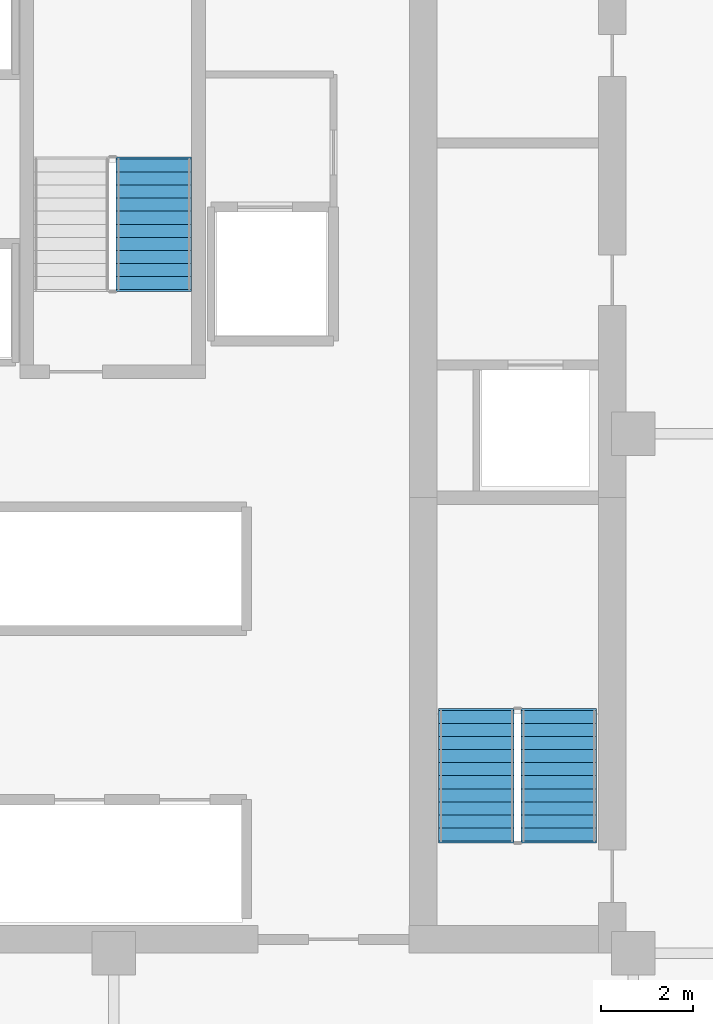
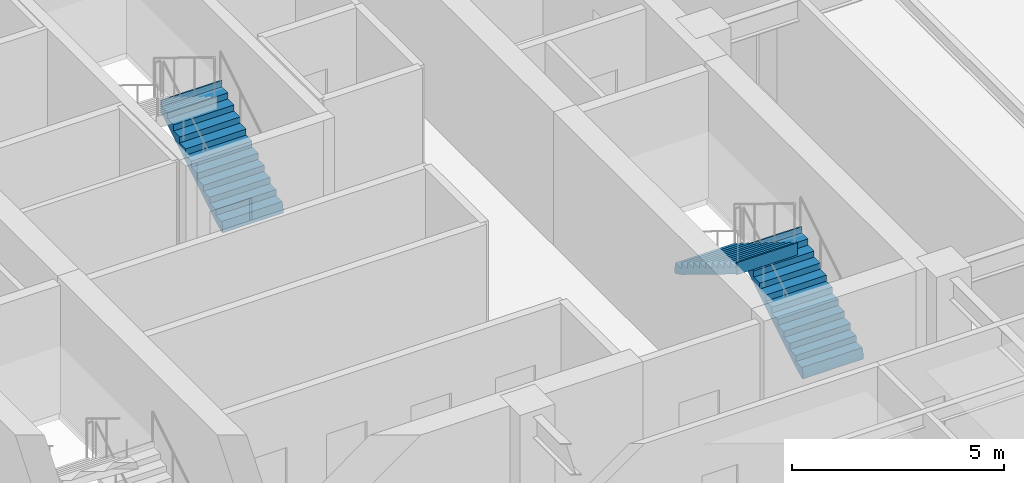
# One storey, part 6 of 9: 3 stair flights, 2 elements without a shape of their own.
"""IFC4 building model written with IfcOpenShell, lengths in metres."""

from ifc_helpers import new_model, si_unit, direction, frame, origin, place, context, subcontext, project, spatial, polyline, outline, extrude, material, type_object, element, aggregate, save


model = new_model("IFC4")

# Units and contexts
model_context = context("Model", 3, precision=1e-05, world=origin(), true_north=direction((0.0, 1.0)))
body_context = subcontext(model_context, "Body", "Model", "MODEL_VIEW")
ifc_project = project(units=[si_unit("LENGTHUNIT", "METRE"), si_unit("AREAUNIT", "SQUARE_METRE"), si_unit("VOLUMEUNIT", "CUBIC_METRE"), si_unit("PLANEANGLEUNIT", "RADIAN"), si_unit("MASSUNIT", "GRAM", prefix="KILO")], contexts=[model_context])

# Site, building, storey
site_placement = place(None, origin())
site = spatial("IfcSite", under=ifc_project, at=site_placement, CompositionType="ELEMENT")
building_placement = place(site_placement, origin())
building = spatial("IfcBuilding", under=site, at=building_placement, Name="Nhamokura Convention Tower", CompositionType="ELEMENT")
storey_placement = place(building_placement, frame((0.0, 0.0, 122.14990234375)))
storey = spatial("IfcBuildingStorey", under=building, at=storey_placement, Name="L29", CompositionType="ELEMENT", Elevation=122.14990234375)

# Stair, stair flights
ifc_material_1 = material(Name="Concrete C40/50", Category="concrete")
stair_type = type_object("IfcStairType", Name="TowerCoreStair_1650", PredefinedType="HALF_TURN_STAIR", material=ifc_material_1)
stair_1_placement = place(storey_placement, origin())
stair_1 = element("IfcStair", 1, at=stair_1_placement, inside=storey, type_object=stair_type, Name="L29 East Core Smokeproof Stair ST-02", PredefinedType="HALF_TURN_STAIR")
ifc_material_2 = material(Name="Concrete C40/50", Category="concrete")
stair_flight_type = type_object("IfcStairFlightType", Name="TowerCoreStair_1650_Flight", PredefinedType="STRAIGHT", material=ifc_material_2)
stair_flight_1_placement = place(storey_placement, frame((41.72509765625, 23.10009765625, 0.0), z_axis=(0.0, 0.0, 1.0), x_axis=(0.0, 1.0, 0.0)))
stair_flight_1 = element("IfcStairFlight", 2, at=stair_flight_1_placement, type_object=stair_flight_type, Name="ST-02 flight 1", NumberOfRisers=11, NumberOfTreads=10, PredefinedType="STRAIGHT", RiserHeight=0.175, TreadLength=0.285, context=body_context, shape_type="SweptSolid", body=[
    extrude(outline(polyline([(-0.0419921875, 0.0), (0.0, 0.175048828125), (0.284912109375, 0.175048828125), (0.284912109375, 0.35009765625), (0.570068359375, 0.35009765625), (0.570068359375, 0.52490234375), (0.85498046875, 0.52490234375), (0.85498046875, 0.699951171875), (1.139892578125, 0.699951171875), (1.139892578125, 0.875), (1.425048828125, 0.875), (1.425048828125, 1.050048828125), (1.7099609375, 1.050048828125), (1.7099609375, 1.22509765625), (1.9951171875, 1.22509765625), (1.9951171875, 1.39990234375), (2.280029296875, 1.39990234375), (2.280029296875, 1.574951171875), (2.56494140625, 1.574951171875), (2.56494140625, 1.75), (2.85009765625, 1.75), (2.85009765625, 1.925048828125), (2.89208984375, 1.925048828125), (2.89208984375, 1.573974609375), (2.85009765625, 1.573974609375), (0.286376953125, 0.0), (0.02001953125, -0.1298828125), (-0.0419921875, -0.1298828125), (-0.0419921875, 0.0)])), frame((0.0, 0.824951171875, 0.0), z_axis=(0.0, -1.0, 0.0), x_axis=(1.0, 0.0, 0.0)), (0.0, 0.0, 1.0), 1.64990234375),
])
stair_flight_2_placement = place(storey_placement, frame((39.925048828125, 25.949951171875, 1.925048828125), z_axis=(0.0, 0.0, 1.0), x_axis=(0.0, -1.0, 0.0)))
stair_flight_2 = element("IfcStairFlight", 3, at=stair_flight_2_placement, type_object=stair_flight_type, Name="ST-02 flight 2", NumberOfRisers=11, NumberOfTreads=10, PredefinedType="STRAIGHT", RiserHeight=0.175, TreadLength=0.285, context=body_context, shape_type="SweptSolid", body=[
    extrude(outline(polyline([(-0.0419921875, 0.0), (0.0, 0.175048828125), (0.284912109375, 0.175048828125), (0.284912109375, 0.35009765625), (0.570068359375, 0.35009765625), (0.570068359375, 0.52490234375), (0.85498046875, 0.52490234375), (0.85498046875, 0.699951171875), (1.139892578125, 0.699951171875), (1.139892578125, 0.875), (1.425048828125, 0.875), (1.425048828125, 1.050048828125), (1.7099609375, 1.050048828125), (1.7099609375, 1.22509765625), (1.9951171875, 1.22509765625), (1.9951171875, 1.39990234375), (2.280029296875, 1.39990234375), (2.280029296875, 1.574951171875), (2.56494140625, 1.574951171875), (2.56494140625, 1.75), (2.85009765625, 1.75), (2.85009765625, 1.925048828125), (2.89208984375, 1.925048828125), (2.89208984375, 1.573974609375), (2.85009765625, 1.573974609375), (0.286376953125, 0.0), (0.02001953125, -0.1298828125), (-0.0419921875, -0.1298828125), (-0.0419921875, 0.0)])), frame((0.0, 0.824951171875, 0.0), z_axis=(0.0, -1.0, 0.0), x_axis=(1.0, 0.0, 0.0)), (0.0, 0.0, 1.0), 1.64990234375),
])
aggregate(stair_1, [stair_flight_1, stair_flight_2])

# Stair, stair flight
stair_2_placement = place(storey_placement, origin())
stair_2 = element("IfcStair", 4, at=stair_2_placement, inside=storey, type_object=stair_type, Name="L29 North Core Smokeproof Stair ST-03", PredefinedType="HALF_TURN_STAIR")
stair_flight_3_placement = place(storey_placement, frame((32.875, 35.14990234375, 0.0), z_axis=(0.0, 0.0, 1.0), x_axis=(0.0, 1.0, 0.0)))
stair_flight_3 = element("IfcStairFlight", 5, at=stair_flight_3_placement, type_object=stair_flight_type, Name="ST-03 flight 1", NumberOfRisers=11, NumberOfTreads=10, PredefinedType="STRAIGHT", RiserHeight=0.175, TreadLength=0.285, context=body_context, shape_type="SweptSolid", body=[
    extrude(outline(polyline([(-0.0419921875, 0.0), (0.0, 0.175048828125), (0.284912109375, 0.175048828125), (0.284912109375, 0.35009765625), (0.570068359375, 0.35009765625), (0.570068359375, 0.52490234375), (0.85498046875, 0.52490234375), (0.85498046875, 0.699951171875), (1.139892578125, 0.699951171875), (1.139892578125, 0.875), (1.425048828125, 0.875), (1.425048828125, 1.050048828125), (1.7099609375, 1.050048828125), (1.7099609375, 1.22509765625), (1.9951171875, 1.22509765625), (1.9951171875, 1.39990234375), (2.280029296875, 1.39990234375), (2.280029296875, 1.574951171875), (2.56494140625, 1.574951171875), (2.56494140625, 1.75), (2.85009765625, 1.75), (2.85009765625, 1.925048828125), (2.89208984375, 1.925048828125), (2.89208984375, 1.573974609375), (2.85009765625, 1.573974609375), (0.286376953125, 0.0), (0.02001953125, -0.1298828125), (-0.0419921875, -0.1298828125), (-0.0419921875, 0.0)])), frame((0.0, 0.824951171875, 0.0), z_axis=(0.0, -1.0, 0.0), x_axis=(1.0, 0.0, 0.0)), (0.0, 0.0, 1.0), 1.64990234375),
])
aggregate(stair_2, [stair_flight_3])

save(model, "model.ifc")
